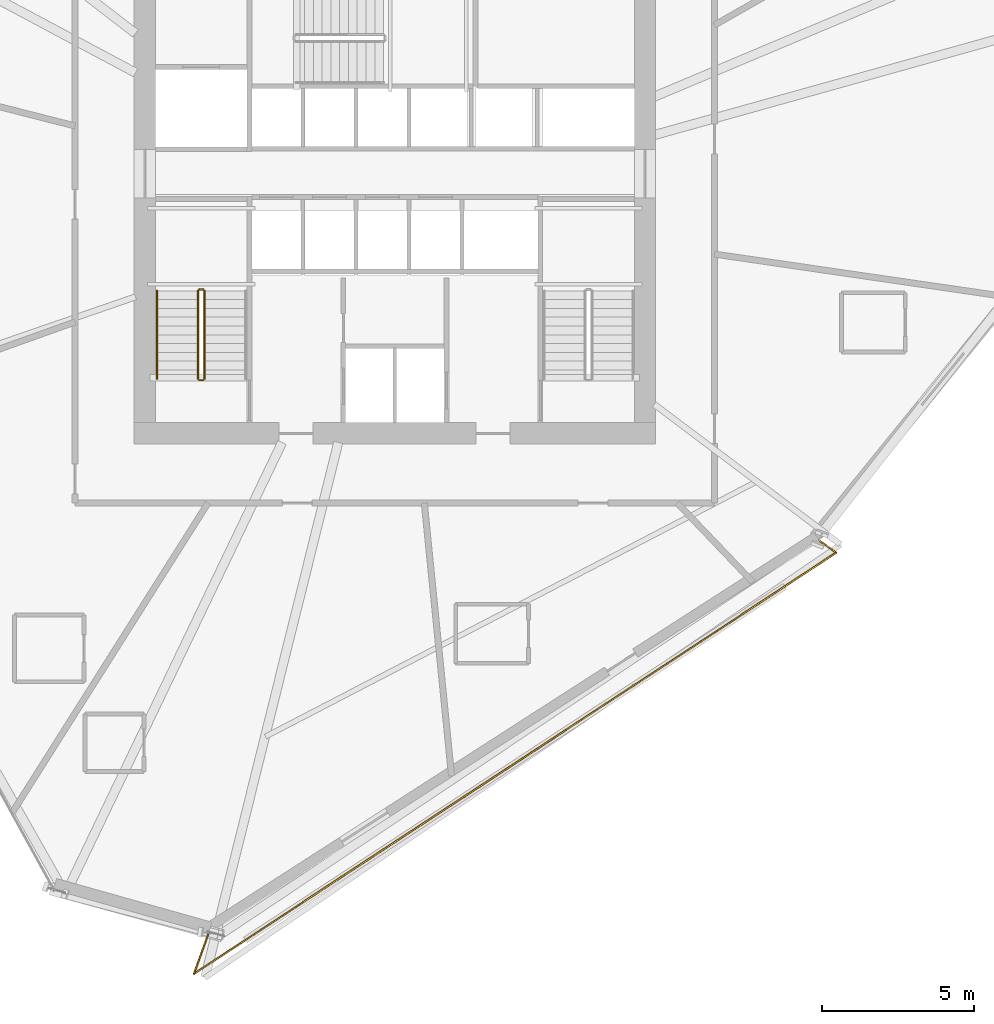
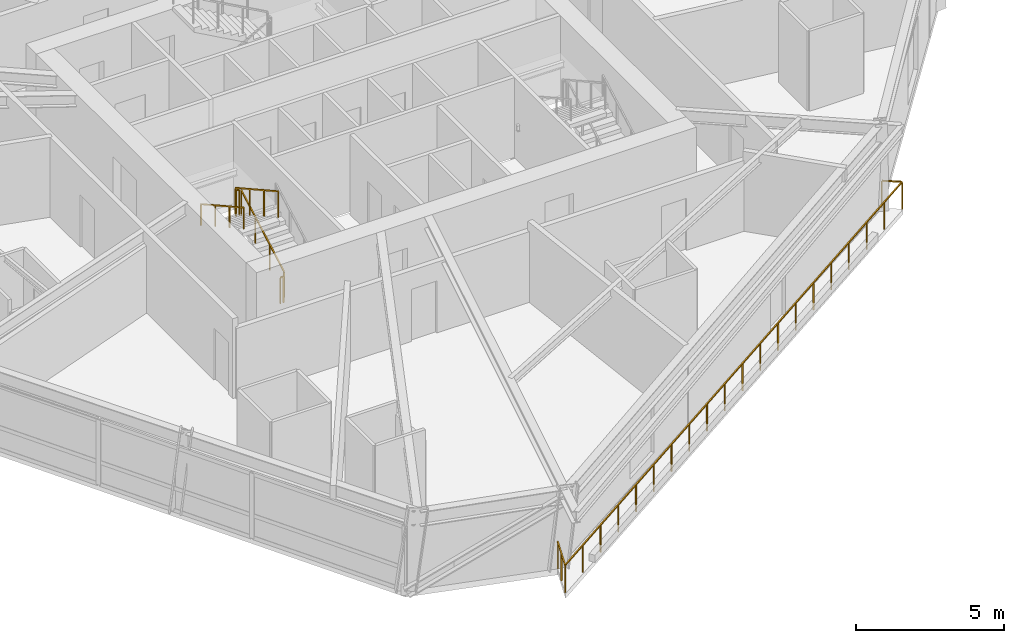
# One storey, part 18 of 21: 6 railings.
"""IFC4 building model written with IfcOpenShell, lengths in metres."""

from ifc_helpers import new_model, si_unit, direction, frame, origin, origin_2d, place, context, subcontext, project, spatial, rectangle, extrude, material, type_object, element, save


model = new_model("IFC4")

# Units and contexts
model_context = context("Model", 3, precision=1e-05, world=origin(), true_north=direction((0.0, 1.0)))
body_context = subcontext(model_context, "Body", "Model", "MODEL_VIEW")
ifc_project = project(units=[si_unit("LENGTHUNIT", "METRE"), si_unit("AREAUNIT", "SQUARE_METRE"), si_unit("VOLUMEUNIT", "CUBIC_METRE"), si_unit("PLANEANGLEUNIT", "RADIAN"), si_unit("MASSUNIT", "GRAM", prefix="KILO")], contexts=[model_context])

# Site, building, storey
site_placement = place(None, origin())
site = spatial("IfcSite", under=ifc_project, at=site_placement, CompositionType="ELEMENT")
building_placement = place(site_placement, origin())
building = spatial("IfcBuilding", under=site, at=building_placement, Name="Olszyna Solenne Hotel", CompositionType="ELEMENT")
storey_placement = place(building_placement, frame((0.0, 0.0, 109.25)))
storey = spatial("IfcBuildingStorey", under=building, at=storey_placement, Name="L28", CompositionType="ELEMENT", Elevation=109.25)

# Railings
ifc_material_1 = material(Name="Anodised bronze aluminium", Category="aluminium")
railing_type_1 = type_object("IfcRailingType", Name="GR-110", PredefinedType="BALUSTRADE", material=ifc_material_1)
railing_1_placement = place(storey_placement, frame((31.856689453125, 2.656005859375, 0.0)))
element("IfcRailing", 1, at=railing_1_placement, inside=storey, type_object=railing_type_1, Name="Loggia balcony balustrade guard GR-L28-LG3", PredefinedType="BALUSTRADE", context=body_context, shape_type="SweptSolid", body=[
    extrude(rectangle(XDim=0.048095703125, YDim=0.048095703125, at=origin_2d()), frame((0.0, 0.0, 1.1259765625), z_axis=(-0.339365342684, -0.940654646608, 0.0), x_axis=(0.940654646608, -0.339365342684, 0.0)), (0.0, 0.0, 1.0), 1.418701171875),
    extrude(rectangle(XDim=0.048095703125, YDim=0.048095703125, at=origin_2d()), frame((-0.4814453125, -1.33447265625, 1.1259765625), z_axis=(0.83633758133, 0.548214784601, 0.0), x_axis=(-0.548214784601, 0.83633758133, 0.0)), (0.0, 0.0, 1.0), 25.336669921875),
    extrude(rectangle(XDim=0.048095703125, YDim=0.048095703125, at=origin_2d()), frame((20.70849609375, 12.555419921875, 1.1259765625), z_axis=(-0.814665388333, 0.57993129339, 0.0), x_axis=(-0.57993129339, -0.814665388333, 0.0)), (0.0, 0.0, 1.0), 0.689453125),
    extrude(rectangle(XDim=0.0419921875, YDim=0.0419921875, at=origin_2d()), origin(), (0.0, 0.0, 1.0), 1.101806640625),
    extrude(rectangle(XDim=0.0419921875, YDim=0.0419921875, at=origin_2d()), frame((-0.24072265625, -0.667236328125, 0.0)), (0.0, 0.0, 1.0), 1.101806640625),
    extrude(rectangle(XDim=0.0419921875, YDim=0.0419921875, at=origin_2d()), frame((-0.4814453125, -1.33447265625, 0.0)), (0.0, 0.0, 1.0), 1.101806640625),
    extrude(rectangle(XDim=0.0419921875, YDim=0.0419921875, at=origin_2d()), frame((0.6337890625, -0.603515625, 0.0)), (0.0, 0.0, 1.0), 1.101806640625),
    extrude(rectangle(XDim=0.0419921875, YDim=0.0419921875, at=origin_2d()), frame((1.7490234375, 0.127685546875, 0.0)), (0.0, 0.0, 1.0), 1.101806640625),
    extrude(rectangle(XDim=0.0419921875, YDim=0.0419921875, at=origin_2d()), frame((2.8642578125, 0.858642578125, 0.0)), (0.0, 0.0, 1.0), 1.101806640625),
    extrude(rectangle(XDim=0.0419921875, YDim=0.0419921875, at=origin_2d()), frame((3.9794921875, 1.589599609375, 0.0)), (0.0, 0.0, 1.0), 1.101806640625),
    extrude(rectangle(XDim=0.0419921875, YDim=0.0419921875, at=origin_2d()), frame((5.094970703125, 2.32080078125, 0.0)), (0.0, 0.0, 1.0), 1.101806640625),
    extrude(rectangle(XDim=0.0419921875, YDim=0.0419921875, at=origin_2d()), frame((6.210205078125, 3.0517578125, 0.0)), (0.0, 0.0, 1.0), 1.101806640625),
    extrude(rectangle(XDim=0.0419921875, YDim=0.0419921875, at=origin_2d()), frame((7.325439453125, 3.782958984375, 0.0)), (0.0, 0.0, 1.0), 1.101806640625),
    extrude(rectangle(XDim=0.0419921875, YDim=0.0419921875, at=origin_2d()), frame((8.440673828125, 4.513916015625, 0.0)), (0.0, 0.0, 1.0), 1.101806640625),
    extrude(rectangle(XDim=0.0419921875, YDim=0.0419921875, at=origin_2d()), frame((9.555908203125, 5.244873046875, 0.0)), (0.0, 0.0, 1.0), 1.101806640625),
    extrude(rectangle(XDim=0.0419921875, YDim=0.0419921875, at=origin_2d()), frame((10.671142578125, 5.97607421875, 0.0)), (0.0, 0.0, 1.0), 1.101806640625),
    extrude(rectangle(XDim=0.0419921875, YDim=0.0419921875, at=origin_2d()), frame((11.786376953125, 6.70703125, 0.0)), (0.0, 0.0, 1.0), 1.101806640625),
    extrude(rectangle(XDim=0.0419921875, YDim=0.0419921875, at=origin_2d()), frame((12.901611328125, 7.43798828125, 0.0)), (0.0, 0.0, 1.0), 1.101806640625),
    extrude(rectangle(XDim=0.0419921875, YDim=0.0419921875, at=origin_2d()), frame((14.016845703125, 8.169189453125, 0.0)), (0.0, 0.0, 1.0), 1.101806640625),
    extrude(rectangle(XDim=0.0419921875, YDim=0.0419921875, at=origin_2d()), frame((15.132080078125, 8.900146484375, 0.0)), (0.0, 0.0, 1.0), 1.101806640625),
    extrude(rectangle(XDim=0.0419921875, YDim=0.0419921875, at=origin_2d()), frame((16.24755859375, 9.63134765625, 0.0)), (0.0, 0.0, 1.0), 1.101806640625),
    extrude(rectangle(XDim=0.0419921875, YDim=0.0419921875, at=origin_2d()), frame((17.36279296875, 10.3623046875, 0.0)), (0.0, 0.0, 1.0), 1.101806640625),
    extrude(rectangle(XDim=0.0419921875, YDim=0.0419921875, at=origin_2d()), frame((18.47802734375, 11.09326171875, 0.0)), (0.0, 0.0, 1.0), 1.101806640625),
    extrude(rectangle(XDim=0.0419921875, YDim=0.0419921875, at=origin_2d()), frame((19.59326171875, 11.824462890625, 0.0)), (0.0, 0.0, 1.0), 1.101806640625),
    extrude(rectangle(XDim=0.0419921875, YDim=0.0419921875, at=origin_2d()), frame((20.70849609375, 12.555419921875, 0.0)), (0.0, 0.0, 1.0), 1.101806640625),
    extrude(rectangle(XDim=0.0419921875, YDim=0.0419921875, at=origin_2d()), frame((20.146728515625, 12.955322265625, 0.0)), (0.0, 0.0, 1.0), 1.101806640625),
])
railing_2_placement = place(storey_placement, frame((31.719970703125, 20.949951171875, 0.161376953125)))
element("IfcRailing", 2, at=railing_2_placement, inside=storey, type_object=railing_type_1, Name="L28 ST1 stair guard 1", PredefinedType="BALUSTRADE", context=body_context, shape_type="SweptSolid", body=[
    extrude(rectangle(XDim=0.048095703125, YDim=0.048095703125, at=origin_2d()), frame((0.0, 0.0, 1.076171875), z_axis=(0.0, 0.873858693841, 0.486179990537), x_axis=(-1.0, 0.0, 0.0)), (0.0, 0.0, 1.0), 3.31884765625),
    extrude(rectangle(XDim=0.0419921875, YDim=0.0419921875, at=origin_2d()), origin(), (0.0, 0.0, 1.0), 1.052001953125),
    extrude(rectangle(XDim=0.0419921875, YDim=0.0419921875, at=origin_2d()), frame((0.0, 0.966796875, 0.537841796875)), (0.0, 0.0, 1.0), 1.052001953125),
    extrude(rectangle(XDim=0.0419921875, YDim=0.0419921875, at=origin_2d()), frame((0.0, 1.933349609375, 1.07568359375)), (0.0, 0.0, 1.0), 1.052001953125),
    extrude(rectangle(XDim=0.0419921875, YDim=0.0419921875, at=origin_2d()), frame((0.0, 2.900146484375, 1.613525390625)), (0.0, 0.0, 1.0), 1.052001953125),
])
railing_3_placement = place(storey_placement, frame((31.669921875, 23.89990234375, 1.77490234375)))
element("IfcRailing", 3, at=railing_3_placement, inside=storey, type_object=railing_type_1, Name="L28 ST1 stair guard 2", PredefinedType="BALUSTRADE", context=body_context, shape_type="SweptSolid", body=[
    extrude(rectangle(XDim=0.048095703125, YDim=0.048095703125, at=origin_2d()), frame((0.0, 0.0, 1.076171875), z_axis=(-1.0, 0.0, 0.0), x_axis=(0.0, -1.0, 0.0)), (0.0, 0.0, 1.0), 0.119873046875),
    extrude(rectangle(XDim=0.0419921875, YDim=0.0419921875, at=origin_2d()), origin(), (0.0, 0.0, 1.0), 1.052001953125),
    extrude(rectangle(XDim=0.0419921875, YDim=0.0419921875, at=origin_2d()), frame((-0.119873046875, 0.0, 0.0)), (0.0, 0.0, 1.0), 1.052001953125),
])
railing_4_placement = place(storey_placement, frame((31.5, 23.85009765625, 1.936279296875)))
element("IfcRailing", 4, at=railing_4_placement, inside=storey, type_object=railing_type_1, Name="L28 ST1 stair guard 3", PredefinedType="BALUSTRADE", context=body_context, shape_type="SweptSolid", body=[
    extrude(rectangle(XDim=0.048095703125, YDim=0.048095703125, at=origin_2d()), frame((0.0, 0.0, 1.076171875), z_axis=(0.0, -0.873827439584, 0.48623616261), x_axis=(1.0, 0.0, 0.0)), (0.0, 0.0, 1.0), 3.31884765625),
    extrude(rectangle(XDim=0.0419921875, YDim=0.0419921875, at=origin_2d()), origin(), (0.0, 0.0, 1.0), 1.052001953125),
    extrude(rectangle(XDim=0.0419921875, YDim=0.0419921875, at=origin_2d()), frame((0.0, -0.966796875, 0.537841796875)), (0.0, 0.0, 1.0), 1.052001953125),
    extrude(rectangle(XDim=0.0419921875, YDim=0.0419921875, at=origin_2d()), frame((0.0, -1.933349609375, 1.075927734375)), (0.0, 0.0, 1.0), 1.052001953125),
    extrude(rectangle(XDim=0.0419921875, YDim=0.0419921875, at=origin_2d()), frame((0.0, -2.900146484375, 1.61376953125)), (0.0, 0.0, 1.0), 1.052001953125),
])
railing_5_placement = place(storey_placement, frame((31.669921875, 20.89990234375, 0.0)))
element("IfcRailing", 5, at=railing_5_placement, inside=storey, type_object=railing_type_1, Name="L28 ST1 stair guard 4", PredefinedType="BALUSTRADE", context=body_context, shape_type="SweptSolid", body=[
    extrude(rectangle(XDim=0.048095703125, YDim=0.048095703125, at=origin_2d()), frame((0.0, 0.0, 1.076171875), z_axis=(-1.0, 0.0, 0.0), x_axis=(0.0, -1.0, 0.0)), (0.0, 0.0, 1.0), 0.119873046875),
    extrude(rectangle(XDim=0.0419921875, YDim=0.0419921875, at=origin_2d()), origin(), (0.0, 0.0, 1.0), 1.052001953125),
    extrude(rectangle(XDim=0.0419921875, YDim=0.0419921875, at=origin_2d()), frame((-0.119873046875, 0.0, 0.0)), (0.0, 0.0, 1.0), 1.052001953125),
])
ifc_material_2 = material(Name="Steel S355J2", Category="steel")
railing_type_2 = type_object("IfcRailingType", Name="HR-090", PredefinedType="HANDRAIL", material=ifc_material_2)
railing_6_placement = place(storey_placement, frame((30.14990234375, 23.85009765625, 1.936279296875)))
element("IfcRailing", 6, at=railing_6_placement, inside=storey, type_object=railing_type_2, Name="L28 ST1 stair handrail 2", PredefinedType="HANDRAIL", context=body_context, shape_type="SweptSolid", body=[
    extrude(rectangle(XDim=0.048095703125, YDim=0.048095703125, at=origin_2d()), frame((0.0, 0.0, 0.8759765625), z_axis=(0.0, -0.873827439584, 0.48623616261), x_axis=(1.0, 0.0, 0.0)), (0.0, 0.0, 1.0), 3.31884765625),
    extrude(rectangle(XDim=0.0419921875, YDim=0.0419921875, at=origin_2d()), origin(), (0.0, 0.0, 1.0), 0.851806640625),
    extrude(rectangle(XDim=0.0419921875, YDim=0.0419921875, at=origin_2d()), frame((0.0, -0.966796875, 0.537841796875)), (0.0, 0.0, 1.0), 0.851806640625),
    extrude(rectangle(XDim=0.0419921875, YDim=0.0419921875, at=origin_2d()), frame((0.0, -1.933349609375, 1.075927734375)), (0.0, 0.0, 1.0), 0.851806640625),
    extrude(rectangle(XDim=0.0419921875, YDim=0.0419921875, at=origin_2d()), frame((0.0, -2.900146484375, 1.61376953125)), (0.0, 0.0, 1.0), 0.851806640625),
])

save(model, "model.ifc")
